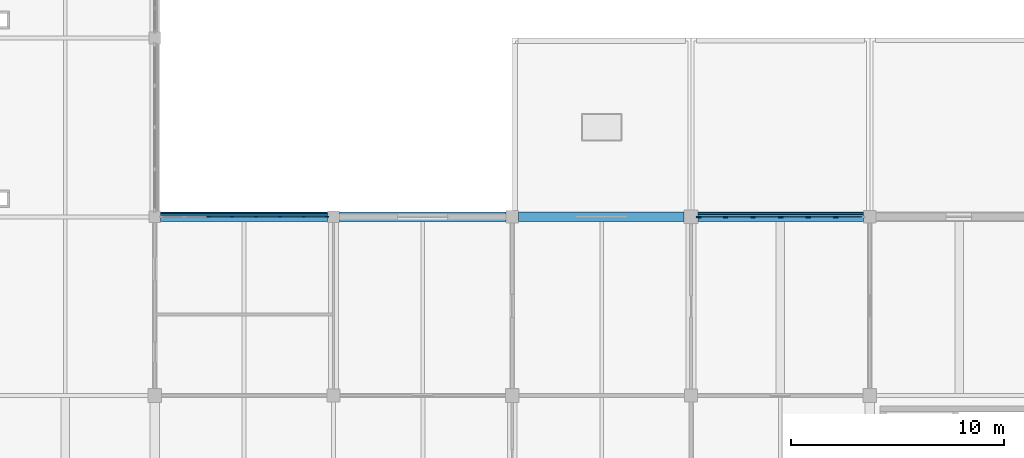
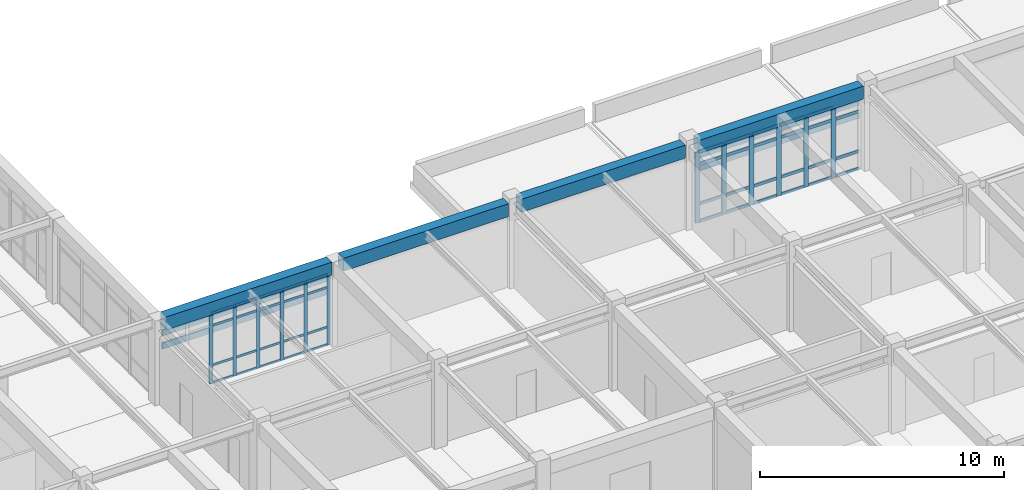
# One storey, part 36 of 78: 59 members, 4 beams, 2 elements without a shape of their own.
"""IFC4 building model written with IfcOpenShell, lengths in metres."""

from ifc_helpers import new_model, si_unit, direction, frame, origin, origin_2d, place, context, subcontext, project, spatial, rectangle, extrude, material, layer, layer_set, material_profile, profile_set, type_object, element, aggregate, save


model = new_model("IFC4")

# Units and contexts
model_context = context("Model", 3, precision=1e-05, world=origin(), true_north=direction((0.0, 1.0)))
body_context = subcontext(model_context, "Body", "Model", "MODEL_VIEW")
ifc_project = project(units=[si_unit("LENGTHUNIT", "METRE"), si_unit("AREAUNIT", "SQUARE_METRE"), si_unit("VOLUMEUNIT", "CUBIC_METRE"), si_unit("PLANEANGLEUNIT", "RADIAN"), si_unit("MASSUNIT", "GRAM", prefix="KILO")], contexts=[model_context])

# Site, building, storey
site_placement = place(None, origin())
site = spatial("IfcSite", under=ifc_project, at=site_placement, CompositionType="ELEMENT")
building_placement = place(site_placement, origin())
building = spatial("IfcBuilding", under=site, at=building_placement, Name="Porcellanite Civic Hall", CompositionType="ELEMENT")
storey_placement = place(building_placement, frame((0.0, 0.0, 10.260009765625)))
storey = spatial("IfcBuildingStorey", under=building, at=storey_placement, Name="L02", CompositionType="ELEMENT", Elevation=10.260009765625)

# Beams
ifc_material_1 = material(Name="Concrete N50 (50 MPa)", Category="concrete")
ifc_material_profile_1 = material_profile(ifc_material_1, rectangle(XDim=0.449951171875, YDim=0.64990234375, at=origin_2d()), Name="RC-450x650")
ifc_profile_set_1 = profile_set([ifc_material_profile_1], Name="Concrete N50 (50 MPa)")
beam_type = type_object("IfcBeamType", Name="BM-RC650", PredefinedType="SPANDREL", material=ifc_profile_set_1)
beam_1_placement = place(storey_placement, frame((126.2744140625, 67.199951171875, 3.9150390625), z_axis=(1.0, 0.0, 0.0), x_axis=(0.0, 1.0, 0.0)))
element("IfcBeam", 1, at=beam_1_placement, inside=storey, type_object=beam_type, Name="Beam X L02 16-9", PredefinedType="SPANDREL", context=body_context, shape_type="SweptSolid", body=[
    extrude(rectangle(XDim=0.449951171875, YDim=0.64990234375, at=origin_2d()), origin(), (0.0, 0.0, 1.0), 7.85107421875),
])
beam_2_placement = place(storey_placement, frame((134.674560546875, 67.199951171875, 3.9150390625), z_axis=(1.0, 0.0, 0.0), x_axis=(0.0, 1.0, 0.0)))
element("IfcBeam", 2, at=beam_2_placement, inside=storey, type_object=beam_type, Name="Beam X L02 17-9", PredefinedType="SPANDREL", context=body_context, shape_type="SweptSolid", body=[
    extrude(rectangle(XDim=0.449951171875, YDim=0.64990234375, at=origin_2d()), origin(), (0.0, 0.0, 1.0), 7.825927734375),
])
beam_3_placement = place(storey_placement, frame((143.099609375, 67.199951171875, 3.9150390625), z_axis=(1.0, 0.0, 0.0), x_axis=(0.0, 1.0, 0.0)))
element("IfcBeam", 3, at=beam_3_placement, inside=storey, type_object=beam_type, Name="Beam X L02 18-9", PredefinedType="SPANDREL", context=body_context, shape_type="SweptSolid", body=[
    extrude(rectangle(XDim=0.449951171875, YDim=0.64990234375, at=origin_2d()), origin(), (0.0, 0.0, 1.0), 7.77587890625),
])
beam_4_placement = place(storey_placement, frame((151.5244140625, 67.199951171875, 3.9150390625), z_axis=(1.0, 0.0, 0.0), x_axis=(0.0, 1.0, 0.0)))
element("IfcBeam", 4, at=beam_4_placement, inside=storey, type_object=beam_type, Name="Beam X L02 19-9", PredefinedType="SPANDREL", context=body_context, shape_type="SweptSolid", body=[
    extrude(rectangle(XDim=0.449951171875, YDim=0.64990234375, at=origin_2d()), origin(), (0.0, 0.0, 1.0), 7.776123046875),
])

# Curtain wall, members
ifc_material_2 = material(Name="Anodised aluminium and solar laminated glass", Category="aluminium")
ifc_layer_1 = layer(ifc_material_2, 0.179931640625)
ifc_layer_set_1 = layer_set([ifc_layer_1], Name="Anodised aluminium and solar laminated glass")
curtain_wall_type_1 = type_object("IfcCurtainWallType", Name="CW-SYS02", PredefinedType="NOTDEFINED", material=ifc_layer_set_1)
curtain_wall_1_placement = place(storey_placement, origin())
curtain_wall_1 = element("IfcCurtainWall", 5, at=curtain_wall_1_placement, inside=storey, type_object=curtain_wall_type_1, Name="Curtain wall CW-178", PredefinedType="NOTDEFINED")
ifc_material_3 = material(Name="Anodised aluminium 6063-T6", Category="aluminium")
ifc_material_profile_2 = material_profile(ifc_material_3, rectangle(XDim=0.074951171875, YDim=0.219970703125, at=origin_2d()), Name="AL-75x220")
ifc_profile_set_2 = profile_set([ifc_material_profile_2], Name="Anodised aluminium 6063-T6")
member_type_1 = type_object("IfcMemberType", Name="CWM-03", PredefinedType="MULLION", material=ifc_profile_set_2)
member_1_placement = place(storey_placement, frame((151.5634765625, 67.199951171875, 0.0), z_axis=(0.0, 0.0, 1.0), x_axis=(0.0, 1.0, 0.0)))
member_1 = element("IfcMember", 6, at=member_1_placement, type_object=member_type_1, Name="CW-178 mullion 1", PredefinedType="MULLION", context=body_context, shape_type="SweptSolid", body=[
    extrude(rectangle(XDim=0.074951171875, YDim=0.219970703125, at=origin_2d()), origin(), (0.0, 0.0, 1.0), 3.5400390625),
])
member_2_placement = place(storey_placement, frame((152.821533203125, 67.199951171875, 0.0), z_axis=(0.0, 0.0, 1.0), x_axis=(0.0, 1.0, 0.0)))
member_2 = element("IfcMember", 7, at=member_2_placement, type_object=member_type_1, Name="CW-178 mullion 2", PredefinedType="MULLION", context=body_context, shape_type="SweptSolid", body=[
    extrude(rectangle(XDim=0.074951171875, YDim=0.219970703125, at=origin_2d()), origin(), (0.0, 0.0, 1.0), 3.5400390625),
])
member_3_placement = place(storey_placement, frame((154.116943359375, 67.199951171875, 0.0), z_axis=(0.0, 0.0, 1.0), x_axis=(0.0, 1.0, 0.0)))
member_3 = element("IfcMember", 8, at=member_3_placement, type_object=member_type_1, Name="CW-178 mullion 3", PredefinedType="MULLION", context=body_context, shape_type="SweptSolid", body=[
    extrude(rectangle(XDim=0.074951171875, YDim=0.219970703125, at=origin_2d()), origin(), (0.0, 0.0, 1.0), 3.5400390625),
])
member_4_placement = place(storey_placement, frame((155.41259765625, 67.199951171875, 0.0), z_axis=(0.0, 0.0, 1.0), x_axis=(0.0, 1.0, 0.0)))
member_4 = element("IfcMember", 9, at=member_4_placement, type_object=member_type_1, Name="CW-178 mullion 4", PredefinedType="MULLION", context=body_context, shape_type="SweptSolid", body=[
    extrude(rectangle(XDim=0.074951171875, YDim=0.219970703125, at=origin_2d()), origin(), (0.0, 0.0, 1.0), 3.5400390625),
])
member_5_placement = place(storey_placement, frame((156.7080078125, 67.199951171875, 0.0), z_axis=(0.0, 0.0, 1.0), x_axis=(0.0, 1.0, 0.0)))
member_5 = element("IfcMember", 10, at=member_5_placement, type_object=member_type_1, Name="CW-178 mullion 5", PredefinedType="MULLION", context=body_context, shape_type="SweptSolid", body=[
    extrude(rectangle(XDim=0.074951171875, YDim=0.219970703125, at=origin_2d()), origin(), (0.0, 0.0, 1.0), 3.5400390625),
])
member_6_placement = place(storey_placement, frame((158.00341796875, 67.199951171875, 0.0), z_axis=(0.0, 0.0, 1.0), x_axis=(0.0, 1.0, 0.0)))
member_6 = element("IfcMember", 11, at=member_6_placement, type_object=member_type_1, Name="CW-178 mullion 6", PredefinedType="MULLION", context=body_context, shape_type="SweptSolid", body=[
    extrude(rectangle(XDim=0.074951171875, YDim=0.219970703125, at=origin_2d()), origin(), (0.0, 0.0, 1.0), 3.5400390625),
])

ifc_material_4 = material(Name="Anodised aluminium and solar laminated glass", Category="aluminium")
ifc_layer_2 = layer(ifc_material_4, 0.179931640625)
ifc_layer_set_2 = layer_set([ifc_layer_2], Name="Anodised aluminium and solar laminated glass")
curtain_wall_type_2 = type_object("IfcCurtainWallType", Name="CW-SYS07", PredefinedType="NOTDEFINED", material=ifc_layer_set_2)
curtain_wall_2_placement = place(storey_placement, origin())
curtain_wall_2 = element("IfcCurtainWall", 12, at=curtain_wall_2_placement, inside=storey, type_object=curtain_wall_type_2, Name="Curtain wall CW-171", PredefinedType="NOTDEFINED")
ifc_material_5 = material(Name="Anodised aluminium 6063-T6", Category="aluminium")
ifc_material_profile_3 = material_profile(ifc_material_5, rectangle(XDim=0.06005859375, YDim=0.159912109375, at=origin_2d()), Name="AL-60x160")
ifc_profile_set_3 = profile_set([ifc_material_profile_3], Name="Anodised aluminium 6063-T6")
member_type_2 = type_object("IfcMemberType", Name="CWM-07", PredefinedType="MULLION", material=ifc_profile_set_3)
member_7_placement = place(storey_placement, frame((128.518310546875, 67.199951171875, 0.0), z_axis=(0.0, 0.0, 1.0), x_axis=(0.0, 1.0, 0.0)))
member_7 = element("IfcMember", 13, at=member_7_placement, type_object=member_type_2, Name="CW-171 mullion 3", PredefinedType="MULLION", context=body_context, shape_type="SweptSolid", body=[
    extrude(rectangle(XDim=0.06005859375, YDim=0.159912109375, at=origin_2d()), origin(), (0.0, 0.0, 1.0), 3.5400390625),
])
member_8_placement = place(storey_placement, frame((129.639404296875, 67.199951171875, 0.0), z_axis=(0.0, 0.0, 1.0), x_axis=(0.0, 1.0, 0.0)))
member_8 = element("IfcMember", 14, at=member_8_placement, type_object=member_type_2, Name="CW-171 mullion 4", PredefinedType="MULLION", context=body_context, shape_type="SweptSolid", body=[
    extrude(rectangle(XDim=0.06005859375, YDim=0.159912109375, at=origin_2d()), origin(), (0.0, 0.0, 1.0), 3.5400390625),
])
member_9_placement = place(storey_placement, frame((130.760498046875, 67.199951171875, 0.0), z_axis=(0.0, 0.0, 1.0), x_axis=(0.0, 1.0, 0.0)))
member_9 = element("IfcMember", 15, at=member_9_placement, type_object=member_type_2, Name="CW-171 mullion 5", PredefinedType="MULLION", context=body_context, shape_type="SweptSolid", body=[
    extrude(rectangle(XDim=0.06005859375, YDim=0.159912109375, at=origin_2d()), origin(), (0.0, 0.0, 1.0), 3.5400390625),
])
member_10_placement = place(storey_placement, frame((131.8818359375, 67.199951171875, 0.0), z_axis=(0.0, 0.0, 1.0), x_axis=(0.0, 1.0, 0.0)))
member_10 = element("IfcMember", 16, at=member_10_placement, type_object=member_type_2, Name="CW-171 mullion 6", PredefinedType="MULLION", context=body_context, shape_type="SweptSolid", body=[
    extrude(rectangle(XDim=0.06005859375, YDim=0.159912109375, at=origin_2d()), origin(), (0.0, 0.0, 1.0), 3.5400390625),
])
member_11_placement = place(storey_placement, frame((133.0029296875, 67.199951171875, 0.0), z_axis=(0.0, 0.0, 1.0), x_axis=(0.0, 1.0, 0.0)))
member_11 = element("IfcMember", 17, at=member_11_placement, type_object=member_type_2, Name="CW-171 mullion 7", PredefinedType="MULLION", context=body_context, shape_type="SweptSolid", body=[
    extrude(rectangle(XDim=0.06005859375, YDim=0.159912109375, at=origin_2d()), origin(), (0.0, 0.0, 1.0), 3.5400390625),
])
member_12_placement = place(storey_placement, frame((134.093994140625, 67.199951171875, 0.0), z_axis=(0.0, 0.0, 1.0), x_axis=(0.0, 1.0, 0.0)))
member_12 = element("IfcMember", 18, at=member_12_placement, type_object=member_type_2, Name="CW-171 mullion 8", PredefinedType="MULLION", context=body_context, shape_type="SweptSolid", body=[
    extrude(rectangle(XDim=0.06005859375, YDim=0.159912109375, at=origin_2d()), origin(), (0.0, 0.0, 1.0), 3.5400390625),
])

# Member
ifc_material_6 = material(Name="Anodised aluminium 6063-T6", Category="aluminium")
ifc_material_profile_4 = material_profile(ifc_material_6, rectangle(XDim=0.06494140625, YDim=0.14990234375, at=origin_2d()), Name="AL-65x150")
ifc_profile_set_4 = profile_set([ifc_material_profile_4], Name="Anodised aluminium 6063-T6")
member_type_3 = type_object("IfcMemberType", Name="CWT-02", PredefinedType="USERDEFINED", material=ifc_profile_set_4)
member_13_placement = place(storey_placement, frame((151.60107421875, 67.199951171875, 0.032470703125), z_axis=(1.0, 0.0, 0.0), x_axis=(0.0, 1.0, 0.0)))
member_13 = element("IfcMember", 19, at=member_13_placement, type_object=member_type_3, Name="CW-178 transom 1.1", ObjectType="TRANSOM", PredefinedType="USERDEFINED", context=body_context, shape_type="SweptSolid", body=[
    extrude(rectangle(XDim=0.06494140625, YDim=0.14990234375, at=origin_2d()), origin(), (0.0, 0.0, 1.0), 1.182861328125),
])

member_14_placement = place(storey_placement, frame((151.60107421875, 67.199951171875, 0.89990234375), z_axis=(1.0, 0.0, 0.0), x_axis=(0.0, 1.0, 0.0)))
member_14 = element("IfcMember", 20, at=member_14_placement, type_object=member_type_3, Name="CW-178 transom 1.2", ObjectType="TRANSOM", PredefinedType="USERDEFINED", context=body_context, shape_type="SweptSolid", body=[
    extrude(rectangle(XDim=0.06494140625, YDim=0.14990234375, at=origin_2d()), origin(), (0.0, 0.0, 1.0), 1.182861328125),
])

member_15_placement = place(storey_placement, frame((151.60107421875, 67.199951171875, 2.889892578125), z_axis=(1.0, 0.0, 0.0), x_axis=(0.0, 1.0, 0.0)))
member_15 = element("IfcMember", 21, at=member_15_placement, type_object=member_type_3, Name="CW-178 transom 1.3", ObjectType="TRANSOM", PredefinedType="USERDEFINED", context=body_context, shape_type="SweptSolid", body=[
    extrude(rectangle(XDim=0.06494140625, YDim=0.14990234375, at=origin_2d()), origin(), (0.0, 0.0, 1.0), 1.182861328125),
])

member_16_placement = place(storey_placement, frame((151.60107421875, 67.199951171875, 3.507568359375), z_axis=(1.0, 0.0, 0.0), x_axis=(0.0, 1.0, 0.0)))
member_16 = element("IfcMember", 22, at=member_16_placement, type_object=member_type_3, Name="CW-178 transom 1.4", ObjectType="TRANSOM", PredefinedType="USERDEFINED", context=body_context, shape_type="SweptSolid", body=[
    extrude(rectangle(XDim=0.06494140625, YDim=0.14990234375, at=origin_2d()), origin(), (0.0, 0.0, 1.0), 1.182861328125),
])

member_17_placement = place(storey_placement, frame((152.85888671875, 67.199951171875, 0.032470703125), z_axis=(1.0, 0.0, 0.0), x_axis=(0.0, 1.0, 0.0)))
member_17 = element("IfcMember", 23, at=member_17_placement, type_object=member_type_3, Name="CW-178 transom 2.1", ObjectType="TRANSOM", PredefinedType="USERDEFINED", context=body_context, shape_type="SweptSolid", body=[
    extrude(rectangle(XDim=0.06494140625, YDim=0.14990234375, at=origin_2d()), origin(), (0.0, 0.0, 1.0), 1.220703125),
])

member_18_placement = place(storey_placement, frame((152.85888671875, 67.199951171875, 0.89990234375), z_axis=(1.0, 0.0, 0.0), x_axis=(0.0, 1.0, 0.0)))
member_18 = element("IfcMember", 24, at=member_18_placement, type_object=member_type_3, Name="CW-178 transom 2.2", ObjectType="TRANSOM", PredefinedType="USERDEFINED", context=body_context, shape_type="SweptSolid", body=[
    extrude(rectangle(XDim=0.06494140625, YDim=0.14990234375, at=origin_2d()), origin(), (0.0, 0.0, 1.0), 1.220703125),
])

member_19_placement = place(storey_placement, frame((152.85888671875, 67.199951171875, 2.889892578125), z_axis=(1.0, 0.0, 0.0), x_axis=(0.0, 1.0, 0.0)))
member_19 = element("IfcMember", 25, at=member_19_placement, type_object=member_type_3, Name="CW-178 transom 2.3", ObjectType="TRANSOM", PredefinedType="USERDEFINED", context=body_context, shape_type="SweptSolid", body=[
    extrude(rectangle(XDim=0.06494140625, YDim=0.14990234375, at=origin_2d()), origin(), (0.0, 0.0, 1.0), 1.220703125),
])

member_20_placement = place(storey_placement, frame((152.85888671875, 67.199951171875, 3.507568359375), z_axis=(1.0, 0.0, 0.0), x_axis=(0.0, 1.0, 0.0)))
member_20 = element("IfcMember", 26, at=member_20_placement, type_object=member_type_3, Name="CW-178 transom 2.4", ObjectType="TRANSOM", PredefinedType="USERDEFINED", context=body_context, shape_type="SweptSolid", body=[
    extrude(rectangle(XDim=0.06494140625, YDim=0.14990234375, at=origin_2d()), origin(), (0.0, 0.0, 1.0), 1.220703125),
])

member_21_placement = place(storey_placement, frame((154.154541015625, 67.199951171875, 0.032470703125), z_axis=(1.0, 0.0, 0.0), x_axis=(0.0, 1.0, 0.0)))
member_21 = element("IfcMember", 27, at=member_21_placement, type_object=member_type_3, Name="CW-178 transom 3.1", ObjectType="TRANSOM", PredefinedType="USERDEFINED", context=body_context, shape_type="SweptSolid", body=[
    extrude(rectangle(XDim=0.06494140625, YDim=0.14990234375, at=origin_2d()), origin(), (0.0, 0.0, 1.0), 1.220458984375),
])

member_22_placement = place(storey_placement, frame((154.154541015625, 67.199951171875, 0.89990234375), z_axis=(1.0, 0.0, 0.0), x_axis=(0.0, 1.0, 0.0)))
member_22 = element("IfcMember", 28, at=member_22_placement, type_object=member_type_3, Name="CW-178 transom 3.2", ObjectType="TRANSOM", PredefinedType="USERDEFINED", context=body_context, shape_type="SweptSolid", body=[
    extrude(rectangle(XDim=0.06494140625, YDim=0.14990234375, at=origin_2d()), origin(), (0.0, 0.0, 1.0), 1.220458984375),
])

member_23_placement = place(storey_placement, frame((154.154541015625, 67.199951171875, 2.889892578125), z_axis=(1.0, 0.0, 0.0), x_axis=(0.0, 1.0, 0.0)))
member_23 = element("IfcMember", 29, at=member_23_placement, type_object=member_type_3, Name="CW-178 transom 3.3", ObjectType="TRANSOM", PredefinedType="USERDEFINED", context=body_context, shape_type="SweptSolid", body=[
    extrude(rectangle(XDim=0.06494140625, YDim=0.14990234375, at=origin_2d()), origin(), (0.0, 0.0, 1.0), 1.220458984375),
])

member_24_placement = place(storey_placement, frame((154.154541015625, 67.199951171875, 3.507568359375), z_axis=(1.0, 0.0, 0.0), x_axis=(0.0, 1.0, 0.0)))
member_24 = element("IfcMember", 30, at=member_24_placement, type_object=member_type_3, Name="CW-178 transom 3.4", ObjectType="TRANSOM", PredefinedType="USERDEFINED", context=body_context, shape_type="SweptSolid", body=[
    extrude(rectangle(XDim=0.06494140625, YDim=0.14990234375, at=origin_2d()), origin(), (0.0, 0.0, 1.0), 1.220458984375),
])

member_25_placement = place(storey_placement, frame((155.449951171875, 67.199951171875, 0.032470703125), z_axis=(1.0, 0.0, 0.0), x_axis=(0.0, 1.0, 0.0)))
member_25 = element("IfcMember", 31, at=member_25_placement, type_object=member_type_3, Name="CW-178 transom 4.1", ObjectType="TRANSOM", PredefinedType="USERDEFINED", context=body_context, shape_type="SweptSolid", body=[
    extrude(rectangle(XDim=0.06494140625, YDim=0.14990234375, at=origin_2d()), origin(), (0.0, 0.0, 1.0), 1.220458984375),
])

member_26_placement = place(storey_placement, frame((155.449951171875, 67.199951171875, 0.89990234375), z_axis=(1.0, 0.0, 0.0), x_axis=(0.0, 1.0, 0.0)))
member_26 = element("IfcMember", 32, at=member_26_placement, type_object=member_type_3, Name="CW-178 transom 4.2", ObjectType="TRANSOM", PredefinedType="USERDEFINED", context=body_context, shape_type="SweptSolid", body=[
    extrude(rectangle(XDim=0.06494140625, YDim=0.14990234375, at=origin_2d()), origin(), (0.0, 0.0, 1.0), 1.220458984375),
])

member_27_placement = place(storey_placement, frame((155.449951171875, 67.199951171875, 2.889892578125), z_axis=(1.0, 0.0, 0.0), x_axis=(0.0, 1.0, 0.0)))
member_27 = element("IfcMember", 33, at=member_27_placement, type_object=member_type_3, Name="CW-178 transom 4.3", ObjectType="TRANSOM", PredefinedType="USERDEFINED", context=body_context, shape_type="SweptSolid", body=[
    extrude(rectangle(XDim=0.06494140625, YDim=0.14990234375, at=origin_2d()), origin(), (0.0, 0.0, 1.0), 1.220458984375),
])

member_28_placement = place(storey_placement, frame((155.449951171875, 67.199951171875, 3.507568359375), z_axis=(1.0, 0.0, 0.0), x_axis=(0.0, 1.0, 0.0)))
member_28 = element("IfcMember", 34, at=member_28_placement, type_object=member_type_3, Name="CW-178 transom 4.4", ObjectType="TRANSOM", PredefinedType="USERDEFINED", context=body_context, shape_type="SweptSolid", body=[
    extrude(rectangle(XDim=0.06494140625, YDim=0.14990234375, at=origin_2d()), origin(), (0.0, 0.0, 1.0), 1.220458984375),
])

member_29_placement = place(storey_placement, frame((156.74560546875, 67.199951171875, 0.032470703125), z_axis=(1.0, 0.0, 0.0), x_axis=(0.0, 1.0, 0.0)))
member_29 = element("IfcMember", 35, at=member_29_placement, type_object=member_type_3, Name="CW-178 transom 5.1", ObjectType="TRANSOM", PredefinedType="USERDEFINED", context=body_context, shape_type="SweptSolid", body=[
    extrude(rectangle(XDim=0.06494140625, YDim=0.14990234375, at=origin_2d()), origin(), (0.0, 0.0, 1.0), 1.220458984375),
])

member_30_placement = place(storey_placement, frame((156.74560546875, 67.199951171875, 0.89990234375), z_axis=(1.0, 0.0, 0.0), x_axis=(0.0, 1.0, 0.0)))
member_30 = element("IfcMember", 36, at=member_30_placement, type_object=member_type_3, Name="CW-178 transom 5.2", ObjectType="TRANSOM", PredefinedType="USERDEFINED", context=body_context, shape_type="SweptSolid", body=[
    extrude(rectangle(XDim=0.06494140625, YDim=0.14990234375, at=origin_2d()), origin(), (0.0, 0.0, 1.0), 1.220458984375),
])

member_31_placement = place(storey_placement, frame((156.74560546875, 67.199951171875, 2.889892578125), z_axis=(1.0, 0.0, 0.0), x_axis=(0.0, 1.0, 0.0)))
member_31 = element("IfcMember", 37, at=member_31_placement, type_object=member_type_3, Name="CW-178 transom 5.3", ObjectType="TRANSOM", PredefinedType="USERDEFINED", context=body_context, shape_type="SweptSolid", body=[
    extrude(rectangle(XDim=0.06494140625, YDim=0.14990234375, at=origin_2d()), origin(), (0.0, 0.0, 1.0), 1.220458984375),
])

member_32_placement = place(storey_placement, frame((156.74560546875, 67.199951171875, 3.507568359375), z_axis=(1.0, 0.0, 0.0), x_axis=(0.0, 1.0, 0.0)))
member_32 = element("IfcMember", 38, at=member_32_placement, type_object=member_type_3, Name="CW-178 transom 5.4", ObjectType="TRANSOM", PredefinedType="USERDEFINED", context=body_context, shape_type="SweptSolid", body=[
    extrude(rectangle(XDim=0.06494140625, YDim=0.14990234375, at=origin_2d()), origin(), (0.0, 0.0, 1.0), 1.220458984375),
])

member_33_placement = place(storey_placement, frame((158.041015625, 67.199951171875, 0.032470703125), z_axis=(1.0, 0.0, 0.0), x_axis=(0.0, 1.0, 0.0)))
member_33 = element("IfcMember", 39, at=member_33_placement, type_object=member_type_3, Name="CW-178 transom 6.1", ObjectType="TRANSOM", PredefinedType="USERDEFINED", context=body_context, shape_type="SweptSolid", body=[
    extrude(rectangle(XDim=0.06494140625, YDim=0.14990234375, at=origin_2d()), origin(), (0.0, 0.0, 1.0), 1.18310546875),
])

member_34_placement = place(storey_placement, frame((158.041015625, 67.199951171875, 0.89990234375), z_axis=(1.0, 0.0, 0.0), x_axis=(0.0, 1.0, 0.0)))
member_34 = element("IfcMember", 40, at=member_34_placement, type_object=member_type_3, Name="CW-178 transom 6.2", ObjectType="TRANSOM", PredefinedType="USERDEFINED", context=body_context, shape_type="SweptSolid", body=[
    extrude(rectangle(XDim=0.06494140625, YDim=0.14990234375, at=origin_2d()), origin(), (0.0, 0.0, 1.0), 1.18310546875),
])

member_35_placement = place(storey_placement, frame((158.041015625, 67.199951171875, 2.889892578125), z_axis=(1.0, 0.0, 0.0), x_axis=(0.0, 1.0, 0.0)))
member_35 = element("IfcMember", 41, at=member_35_placement, type_object=member_type_3, Name="CW-178 transom 6.3", ObjectType="TRANSOM", PredefinedType="USERDEFINED", context=body_context, shape_type="SweptSolid", body=[
    extrude(rectangle(XDim=0.06494140625, YDim=0.14990234375, at=origin_2d()), origin(), (0.0, 0.0, 1.0), 1.18310546875),
])

aggregate(curtain_wall_1, [member_1, member_2, member_3, member_4, member_5, member_6, member_13, member_14, member_15, member_16, member_17, member_18, member_19, member_20, member_21, member_22, member_23, member_24, member_25, member_26, member_27, member_28, member_29, member_30, member_31, member_32, member_33, member_34, member_35])

ifc_material_7 = material(Name="Anodised aluminium 6063-T6", Category="aluminium")
ifc_material_profile_5 = material_profile(ifc_material_7, rectangle(XDim=0.050048828125, YDim=0.110107421875, at=origin_2d()), Name="AL-50x110")
ifc_profile_set_5 = profile_set([ifc_material_profile_5], Name="Anodised aluminium 6063-T6")
member_type_4 = type_object("IfcMemberType", Name="CWT-07", PredefinedType="USERDEFINED", material=ifc_profile_set_5)
member_36_placement = place(storey_placement, frame((128.54833984375, 67.199951171875, 0.02490234375), z_axis=(1.0, 0.0, 0.0), x_axis=(0.0, 1.0, 0.0)))
member_36 = element("IfcMember", 42, at=member_36_placement, type_object=member_type_4, Name="CW-171 transom 3.1", ObjectType="TRANSOM", PredefinedType="USERDEFINED", context=body_context, shape_type="SweptSolid", body=[
    extrude(rectangle(XDim=0.050048828125, YDim=0.110107421875, at=origin_2d()), origin(), (0.0, 0.0, 1.0), 1.06103515625),
])

member_37_placement = place(storey_placement, frame((128.54833984375, 67.199951171875, 0.89990234375), z_axis=(1.0, 0.0, 0.0), x_axis=(0.0, 1.0, 0.0)))
member_37 = element("IfcMember", 43, at=member_37_placement, type_object=member_type_4, Name="CW-171 transom 3.2", ObjectType="TRANSOM", PredefinedType="USERDEFINED", context=body_context, shape_type="SweptSolid", body=[
    extrude(rectangle(XDim=0.050048828125, YDim=0.110107421875, at=origin_2d()), origin(), (0.0, 0.0, 1.0), 1.06103515625),
])

member_38_placement = place(storey_placement, frame((128.54833984375, 67.199951171875, 2.889892578125), z_axis=(1.0, 0.0, 0.0), x_axis=(0.0, 1.0, 0.0)))
member_38 = element("IfcMember", 44, at=member_38_placement, type_object=member_type_4, Name="CW-171 transom 3.3", ObjectType="TRANSOM", PredefinedType="USERDEFINED", context=body_context, shape_type="SweptSolid", body=[
    extrude(rectangle(XDim=0.050048828125, YDim=0.110107421875, at=origin_2d()), origin(), (0.0, 0.0, 1.0), 1.06103515625),
])

member_39_placement = place(storey_placement, frame((128.54833984375, 67.199951171875, 3.514892578125), z_axis=(1.0, 0.0, 0.0), x_axis=(0.0, 1.0, 0.0)))
member_39 = element("IfcMember", 45, at=member_39_placement, type_object=member_type_4, Name="CW-171 transom 3.4", ObjectType="TRANSOM", PredefinedType="USERDEFINED", context=body_context, shape_type="SweptSolid", body=[
    extrude(rectangle(XDim=0.050048828125, YDim=0.110107421875, at=origin_2d()), origin(), (0.0, 0.0, 1.0), 1.06103515625),
])

member_40_placement = place(storey_placement, frame((129.66943359375, 67.199951171875, 0.02490234375), z_axis=(1.0, 0.0, 0.0), x_axis=(0.0, 1.0, 0.0)))
member_40 = element("IfcMember", 46, at=member_40_placement, type_object=member_type_4, Name="CW-171 transom 4.1", ObjectType="TRANSOM", PredefinedType="USERDEFINED", context=body_context, shape_type="SweptSolid", body=[
    extrude(rectangle(XDim=0.050048828125, YDim=0.110107421875, at=origin_2d()), origin(), (0.0, 0.0, 1.0), 1.06103515625),
])

member_41_placement = place(storey_placement, frame((129.66943359375, 67.199951171875, 0.89990234375), z_axis=(1.0, 0.0, 0.0), x_axis=(0.0, 1.0, 0.0)))
member_41 = element("IfcMember", 47, at=member_41_placement, type_object=member_type_4, Name="CW-171 transom 4.2", ObjectType="TRANSOM", PredefinedType="USERDEFINED", context=body_context, shape_type="SweptSolid", body=[
    extrude(rectangle(XDim=0.050048828125, YDim=0.110107421875, at=origin_2d()), origin(), (0.0, 0.0, 1.0), 1.06103515625),
])

member_42_placement = place(storey_placement, frame((129.66943359375, 67.199951171875, 2.889892578125), z_axis=(1.0, 0.0, 0.0), x_axis=(0.0, 1.0, 0.0)))
member_42 = element("IfcMember", 48, at=member_42_placement, type_object=member_type_4, Name="CW-171 transom 4.3", ObjectType="TRANSOM", PredefinedType="USERDEFINED", context=body_context, shape_type="SweptSolid", body=[
    extrude(rectangle(XDim=0.050048828125, YDim=0.110107421875, at=origin_2d()), origin(), (0.0, 0.0, 1.0), 1.06103515625),
])

member_43_placement = place(storey_placement, frame((129.66943359375, 67.199951171875, 3.514892578125), z_axis=(1.0, 0.0, 0.0), x_axis=(0.0, 1.0, 0.0)))
member_43 = element("IfcMember", 49, at=member_43_placement, type_object=member_type_4, Name="CW-171 transom 4.4", ObjectType="TRANSOM", PredefinedType="USERDEFINED", context=body_context, shape_type="SweptSolid", body=[
    extrude(rectangle(XDim=0.050048828125, YDim=0.110107421875, at=origin_2d()), origin(), (0.0, 0.0, 1.0), 1.06103515625),
])

member_44_placement = place(storey_placement, frame((130.79052734375, 67.199951171875, 0.02490234375), z_axis=(1.0, 0.0, 0.0), x_axis=(0.0, 1.0, 0.0)))
member_44 = element("IfcMember", 50, at=member_44_placement, type_object=member_type_4, Name="CW-171 transom 5.1", ObjectType="TRANSOM", PredefinedType="USERDEFINED", context=body_context, shape_type="SweptSolid", body=[
    extrude(rectangle(XDim=0.050048828125, YDim=0.110107421875, at=origin_2d()), origin(), (0.0, 0.0, 1.0), 1.061279296875),
])

member_45_placement = place(storey_placement, frame((130.79052734375, 67.199951171875, 0.89990234375), z_axis=(1.0, 0.0, 0.0), x_axis=(0.0, 1.0, 0.0)))
member_45 = element("IfcMember", 51, at=member_45_placement, type_object=member_type_4, Name="CW-171 transom 5.2", ObjectType="TRANSOM", PredefinedType="USERDEFINED", context=body_context, shape_type="SweptSolid", body=[
    extrude(rectangle(XDim=0.050048828125, YDim=0.110107421875, at=origin_2d()), origin(), (0.0, 0.0, 1.0), 1.061279296875),
])

member_46_placement = place(storey_placement, frame((130.79052734375, 67.199951171875, 2.889892578125), z_axis=(1.0, 0.0, 0.0), x_axis=(0.0, 1.0, 0.0)))
member_46 = element("IfcMember", 52, at=member_46_placement, type_object=member_type_4, Name="CW-171 transom 5.3", ObjectType="TRANSOM", PredefinedType="USERDEFINED", context=body_context, shape_type="SweptSolid", body=[
    extrude(rectangle(XDim=0.050048828125, YDim=0.110107421875, at=origin_2d()), origin(), (0.0, 0.0, 1.0), 1.061279296875),
])

member_47_placement = place(storey_placement, frame((130.79052734375, 67.199951171875, 3.514892578125), z_axis=(1.0, 0.0, 0.0), x_axis=(0.0, 1.0, 0.0)))
member_47 = element("IfcMember", 53, at=member_47_placement, type_object=member_type_4, Name="CW-171 transom 5.4", ObjectType="TRANSOM", PredefinedType="USERDEFINED", context=body_context, shape_type="SweptSolid", body=[
    extrude(rectangle(XDim=0.050048828125, YDim=0.110107421875, at=origin_2d()), origin(), (0.0, 0.0, 1.0), 1.061279296875),
])

member_48_placement = place(storey_placement, frame((131.91162109375, 67.199951171875, 0.02490234375), z_axis=(1.0, 0.0, 0.0), x_axis=(0.0, 1.0, 0.0)))
member_48 = element("IfcMember", 54, at=member_48_placement, type_object=member_type_4, Name="CW-171 transom 6.1", ObjectType="TRANSOM", PredefinedType="USERDEFINED", context=body_context, shape_type="SweptSolid", body=[
    extrude(rectangle(XDim=0.050048828125, YDim=0.110107421875, at=origin_2d()), origin(), (0.0, 0.0, 1.0), 1.061279296875),
])

member_49_placement = place(storey_placement, frame((131.91162109375, 67.199951171875, 0.89990234375), z_axis=(1.0, 0.0, 0.0), x_axis=(0.0, 1.0, 0.0)))
member_49 = element("IfcMember", 55, at=member_49_placement, type_object=member_type_4, Name="CW-171 transom 6.2", ObjectType="TRANSOM", PredefinedType="USERDEFINED", context=body_context, shape_type="SweptSolid", body=[
    extrude(rectangle(XDim=0.050048828125, YDim=0.110107421875, at=origin_2d()), origin(), (0.0, 0.0, 1.0), 1.061279296875),
])

member_50_placement = place(storey_placement, frame((131.91162109375, 67.199951171875, 2.889892578125), z_axis=(1.0, 0.0, 0.0), x_axis=(0.0, 1.0, 0.0)))
member_50 = element("IfcMember", 56, at=member_50_placement, type_object=member_type_4, Name="CW-171 transom 6.3", ObjectType="TRANSOM", PredefinedType="USERDEFINED", context=body_context, shape_type="SweptSolid", body=[
    extrude(rectangle(XDim=0.050048828125, YDim=0.110107421875, at=origin_2d()), origin(), (0.0, 0.0, 1.0), 1.061279296875),
])

member_51_placement = place(storey_placement, frame((131.91162109375, 67.199951171875, 3.514892578125), z_axis=(1.0, 0.0, 0.0), x_axis=(0.0, 1.0, 0.0)))
member_51 = element("IfcMember", 57, at=member_51_placement, type_object=member_type_4, Name="CW-171 transom 6.4", ObjectType="TRANSOM", PredefinedType="USERDEFINED", context=body_context, shape_type="SweptSolid", body=[
    extrude(rectangle(XDim=0.050048828125, YDim=0.110107421875, at=origin_2d()), origin(), (0.0, 0.0, 1.0), 1.061279296875),
])

member_52_placement = place(storey_placement, frame((133.032958984375, 67.199951171875, 0.02490234375), z_axis=(1.0, 0.0, 0.0), x_axis=(0.0, 1.0, 0.0)))
member_52 = element("IfcMember", 58, at=member_52_placement, type_object=member_type_4, Name="CW-171 transom 7.1", ObjectType="TRANSOM", PredefinedType="USERDEFINED", context=body_context, shape_type="SweptSolid", body=[
    extrude(rectangle(XDim=0.050048828125, YDim=0.110107421875, at=origin_2d()), origin(), (0.0, 0.0, 1.0), 1.031005859375),
])

member_53_placement = place(storey_placement, frame((133.032958984375, 67.199951171875, 0.89990234375), z_axis=(1.0, 0.0, 0.0), x_axis=(0.0, 1.0, 0.0)))
member_53 = element("IfcMember", 59, at=member_53_placement, type_object=member_type_4, Name="CW-171 transom 7.2", ObjectType="TRANSOM", PredefinedType="USERDEFINED", context=body_context, shape_type="SweptSolid", body=[
    extrude(rectangle(XDim=0.050048828125, YDim=0.110107421875, at=origin_2d()), origin(), (0.0, 0.0, 1.0), 1.031005859375),
])

member_54_placement = place(storey_placement, frame((133.032958984375, 67.199951171875, 2.889892578125), z_axis=(1.0, 0.0, 0.0), x_axis=(0.0, 1.0, 0.0)))
member_54 = element("IfcMember", 60, at=member_54_placement, type_object=member_type_4, Name="CW-171 transom 7.3", ObjectType="TRANSOM", PredefinedType="USERDEFINED", context=body_context, shape_type="SweptSolid", body=[
    extrude(rectangle(XDim=0.050048828125, YDim=0.110107421875, at=origin_2d()), origin(), (0.0, 0.0, 1.0), 1.031005859375),
])

member_55_placement = place(storey_placement, frame((133.032958984375, 67.199951171875, 3.514892578125), z_axis=(1.0, 0.0, 0.0), x_axis=(0.0, 1.0, 0.0)))
member_55 = element("IfcMember", 61, at=member_55_placement, type_object=member_type_4, Name="CW-171 transom 7.4", ObjectType="TRANSOM", PredefinedType="USERDEFINED", context=body_context, shape_type="SweptSolid", body=[
    extrude(rectangle(XDim=0.050048828125, YDim=0.110107421875, at=origin_2d()), origin(), (0.0, 0.0, 1.0), 1.031005859375),
])

aggregate(curtain_wall_2, [member_7, member_8, member_9, member_10, member_11, member_12, member_36, member_37, member_38, member_39, member_40, member_41, member_42, member_43, member_44, member_45, member_46, member_47, member_48, member_49, member_50, member_51, member_52, member_53, member_54, member_55])

# Members
ifc_material_8 = material(Name="Fluoropolymer bauxite-red aluminium 6063-T6", Category="aluminium")
ifc_material_profile_6 = material_profile(ifc_material_8, rectangle(XDim=0.080078125, YDim=0.320068359375, at=origin_2d()), Name="AL-80x320")
ifc_profile_set_6 = profile_set([ifc_material_profile_6], Name="Fluoropolymer bauxite-red aluminium 6063-T6")
member_type_5 = type_object("IfcMemberType", Name="LV-BLD03", PredefinedType="USERDEFINED", material=ifc_profile_set_6)
for number, where, z_axis, x_axis, name in (
    (62, (151.5244140625, 67.35205078125, 3.239990234375), (1.0, 0.0, 0.0), (0.0, 1.0, 0.0), "Cyclone sunshade louvre L02 N 18-7 1"),
    (63, (151.5244140625, 67.35205078125, 2.590087890625), (1.0, 0.0, 0.0), (0.0, 1.0, 0.0), "Cyclone sunshade louvre L02 N 18-7 2"),
):
    element("IfcMember", number, at=place(storey_placement, frame(where, z_axis=z_axis, x_axis=x_axis)), inside=storey, type_object=member_type_5, Name=name, ObjectType="LOUVRE BLADE", PredefinedType="USERDEFINED", context=body_context, shape_type="SweptSolid", body=[
        extrude(rectangle(XDim=0.080078125, YDim=0.320068359375, at=origin_2d()), origin(), (0.0, 0.0, 1.0), 7.776123046875),
    ])
ifc_material_9 = material(Name="Fluoropolymer bauxite-red aluminium 6063-T6", Category="aluminium")
ifc_material_profile_7 = material_profile(ifc_material_9, rectangle(XDim=0.074951171875, YDim=0.300048828125, at=origin_2d()), Name="AL-75x300")
ifc_profile_set_7 = profile_set([ifc_material_profile_7], Name="Fluoropolymer bauxite-red aluminium 6063-T6")
member_type_6 = type_object("IfcMemberType", Name="LV-BLD04", PredefinedType="USERDEFINED", material=ifc_profile_set_7)
for number, where, z_axis, x_axis, name in (
    (64, (126.2744140625, 67.319580078125, 3.239990234375), (1.0, 0.0, 0.0), (0.0, 1.0, 0.0), "Cyclone sunshade louvre L02 N 15-7 1"),
    (65, (126.2744140625, 67.319580078125, 2.590087890625), (1.0, 0.0, 0.0), (0.0, 1.0, 0.0), "Cyclone sunshade louvre L02 N 15-7 2"),
):
    element("IfcMember", number, at=place(storey_placement, frame(where, z_axis=z_axis, x_axis=x_axis)), inside=storey, type_object=member_type_6, Name=name, ObjectType="LOUVRE BLADE", PredefinedType="USERDEFINED", context=body_context, shape_type="SweptSolid", body=[
        extrude(rectangle(XDim=0.074951171875, YDim=0.300048828125, at=origin_2d()), origin(), (0.0, 0.0, 1.0), 7.85107421875),
    ])

save(model, "model.ifc")
